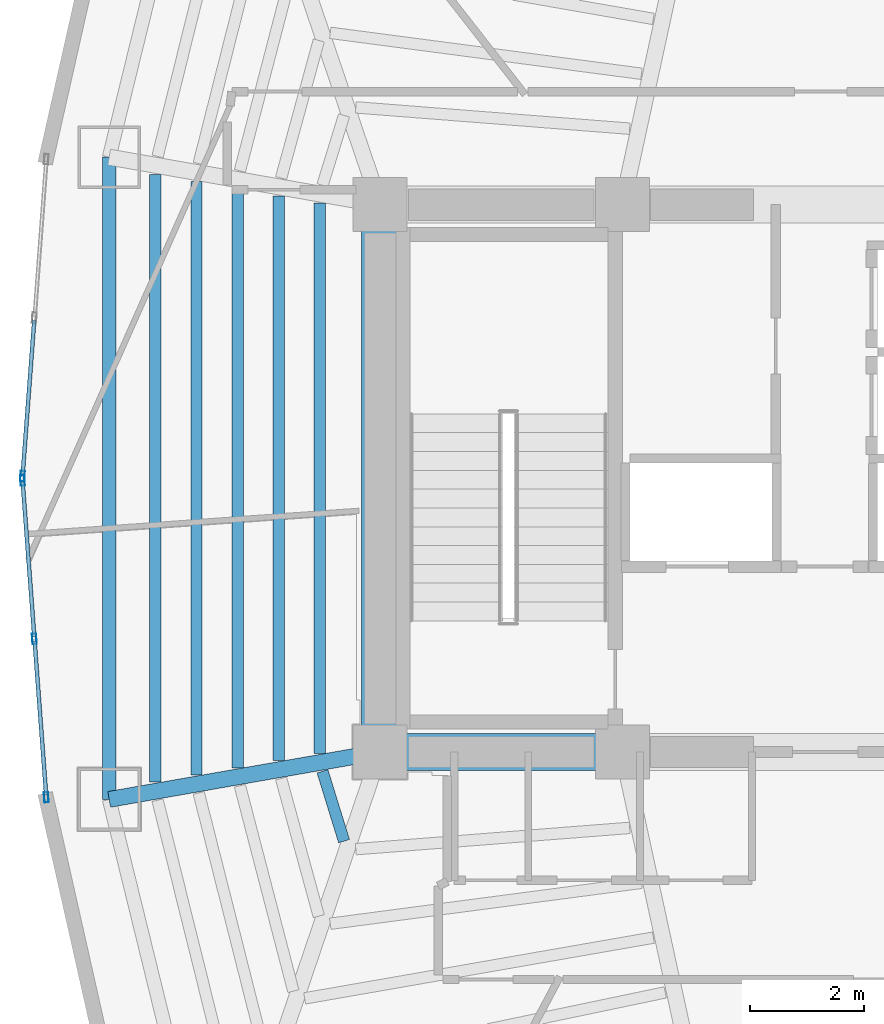
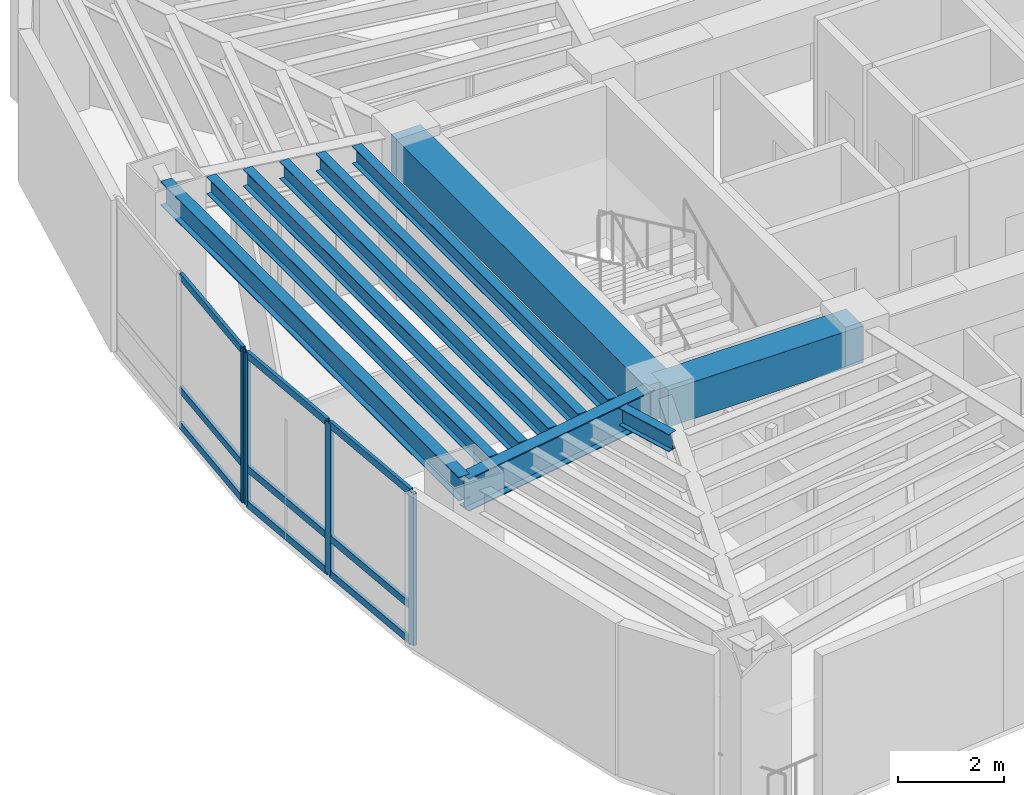
# One storey, part 3 of 18: 13 members, 10 beams, 2 elements without a shape of their own.
"""IFC4 building model written with IfcOpenShell, lengths in metres."""

from ifc_helpers import new_model, si_unit, direction, frame, origin, origin_2d, place, context, subcontext, project, spatial, rectangle, hollow_rectangle, i_section, extrude, material, layer, layer_set, material_profile, profile_set, type_object, element, aggregate, save


model = new_model("IFC4")

# Units and contexts
model_context = context("Model", 3, precision=1e-05, world=origin(), true_north=direction((0.0, 1.0)))
body_context = subcontext(model_context, "Body", "Model", "MODEL_VIEW")
ifc_project = project(units=[si_unit("LENGTHUNIT", "METRE"), si_unit("AREAUNIT", "SQUARE_METRE"), si_unit("VOLUMEUNIT", "CUBIC_METRE"), si_unit("PLANEANGLEUNIT", "RADIAN"), si_unit("MASSUNIT", "GRAM", prefix="KILO")], contexts=[model_context])

# Site, building, storey
site_placement = place(None, origin())
site = spatial("IfcSite", under=ifc_project, at=site_placement, CompositionType="ELEMENT")
building_placement = place(site_placement, origin())
building = spatial("IfcBuilding", under=site, at=building_placement, Name="Menara Vayukalpa", CompositionType="ELEMENT")
storey_placement = place(building_placement, frame((0.0, 0.0, 161.760009765625)))
storey = spatial("IfcBuildingStorey", under=building, at=storey_placement, Name="L40", CompositionType="ELEMENT", Elevation=161.760009765625)

# Beams
ifc_material_1 = material(Name="Concrete C60/75", Category="concrete")
ifc_material_profile_1 = material_profile(ifc_material_1, rectangle(XDim=0.64990234375, YDim=0.85009765625, at=origin_2d()), Name="RC 650x850")
ifc_profile_set_1 = profile_set([ifc_material_profile_1], Name="Concrete C60/75")
beam_type_1 = type_object("IfcBeamType", Name="BM-CB1", PredefinedType="BEAM", material=ifc_profile_set_1)
beam_1_placement = place(storey_placement, frame((17.800048828125, 17.199951171875, 3.074951171875), z_axis=(1.0, 0.0, 0.0), x_axis=(0.0, 1.0, 0.0)))
element("IfcBeam", 1, at=beam_1_placement, inside=storey, type_object=beam_type_1, Name="L40 Core Tie Beam CBR1", PredefinedType="BEAM", context=body_context, shape_type="SweptSolid", body=[
    extrude(rectangle(XDim=0.64990234375, YDim=0.85009765625, at=origin_2d()), origin(), (0.0, 0.0, 1.0), 4.25),
])
beam_2_placement = place(storey_placement, frame((17.800048828125, 17.199951171875, 3.074951171875), z_axis=(0.0, 1.0, 0.0), x_axis=(-1.0, 0.0, 0.0)))
element("IfcBeam", 2, at=beam_2_placement, inside=storey, type_object=beam_type_1, Name="L40 Core Tie Beam CBR7", PredefinedType="BEAM", context=body_context, shape_type="SweptSolid", body=[
    extrude(rectangle(XDim=0.64990234375, YDim=0.85009765625, at=origin_2d()), origin(), (0.0, 0.0, 1.0), 9.60009765625),
])
ifc_material_2 = material(Name="Steel S355", Category="steel")
ifc_material_profile_2 = material_profile(ifc_material_2, i_section(OverallWidth=0.280029296875, OverallDepth=0.75, WebThickness=0.013916015625, FlangeThickness=0.02490234375, at=origin_2d()), Name="WF 750x280x14x25")
ifc_profile_set_2 = profile_set([ifc_material_profile_2], Name="Steel S355")
beam_type_2 = type_object("IfcBeamType", Name="BM-PG4", PredefinedType="BEAM", material=ifc_profile_set_2)
beam_3_placement = place(storey_placement, frame((17.5537109375, 17.156982421875, 3.125), z_axis=(-0.985011651805, -0.172487813505, 0.0), x_axis=(0.172487813505, -0.985011651805, 0.0)))
element("IfcBeam", 3, at=beam_3_placement, inside=storey, type_object=beam_type_2, Name="L40 Primary Radial Girder RG06", PredefinedType="BEAM", context=body_context, shape_type="SweptSolid", body=[
    extrude(i_section(OverallWidth=0.280029296875, OverallDepth=0.75, WebThickness=0.013916015625, FlangeThickness=0.02490234375, at=origin_2d()), origin(), (0.0, 0.0, 1.0), 4.5732421875),
])
ifc_material_3 = material(Name="Steel S355", Category="steel")
ifc_material_profile_3 = material_profile(ifc_material_3, i_section(OverallWidth=0.199951171875, OverallDepth=0.39990234375, WebThickness=0.008056640625, FlangeThickness=0.012939453125, at=origin_2d()), Name="WF 400x200x8x13")
ifc_profile_set_3 = profile_set([ifc_material_profile_3], Name="Steel S355")
beam_type_3 = type_object("IfcBeamType", Name="BM-SJ2", PredefinedType="JOIST", material=ifc_profile_set_3)
beam_4_placement = place(storey_placement, frame((16.742919921875, 26.8251953125, 3.300048828125), z_axis=(0.0, -1.0, 0.0), x_axis=(1.0, 0.0, 0.0)))
element("IfcBeam", 4, at=beam_4_placement, inside=storey, type_object=beam_type_3, Name="L40 Secondary Floor Joist SJ05-1", PredefinedType="JOIST", context=body_context, shape_type="SweptSolid", body=[
    extrude(i_section(OverallWidth=0.199951171875, OverallDepth=0.39990234375, WebThickness=0.008056640625, FlangeThickness=0.012939453125, at=origin_2d()), origin(), (0.0, 0.0, 1.0), 9.650390625),
])
beam_5_placement = place(storey_placement, frame((16.022216796875, 26.951416015625, 3.300048828125), z_axis=(0.0, -1.0, 0.0), x_axis=(1.0, 0.0, 0.0)))
element("IfcBeam", 5, at=beam_5_placement, inside=storey, type_object=beam_type_3, Name="L40 Secondary Floor Joist SJ05-2", PredefinedType="JOIST", context=body_context, shape_type="SweptSolid", body=[
    extrude(i_section(OverallWidth=0.199951171875, OverallDepth=0.39990234375, WebThickness=0.008056640625, FlangeThickness=0.012939453125, at=origin_2d()), origin(), (0.0, 0.0, 1.0), 9.90283203125),
])
beam_6_placement = place(storey_placement, frame((15.301513671875, 27.077392578125, 3.300048828125), z_axis=(0.0, -1.0, 0.0), x_axis=(1.0, 0.0, 0.0)))
element("IfcBeam", 6, at=beam_6_placement, inside=storey, type_object=beam_type_3, Name="L40 Secondary Floor Joist SJ05-3", PredefinedType="JOIST", context=body_context, shape_type="SweptSolid", body=[
    extrude(i_section(OverallWidth=0.199951171875, OverallDepth=0.39990234375, WebThickness=0.008056640625, FlangeThickness=0.012939453125, at=origin_2d()), origin(), (0.0, 0.0, 1.0), 10.15478515625),
])
beam_7_placement = place(storey_placement, frame((14.580810546875, 27.20361328125, 3.300048828125), z_axis=(0.0, -1.0, 0.0), x_axis=(1.0, 0.0, 0.0)))
element("IfcBeam", 7, at=beam_7_placement, inside=storey, type_object=beam_type_3, Name="L40 Secondary Floor Joist SJ05-4", PredefinedType="JOIST", context=body_context, shape_type="SweptSolid", body=[
    extrude(i_section(OverallWidth=0.199951171875, OverallDepth=0.39990234375, WebThickness=0.008056640625, FlangeThickness=0.012939453125, at=origin_2d()), origin(), (0.0, 0.0, 1.0), 10.4072265625),
])
beam_8_placement = place(storey_placement, frame((13.85986328125, 27.329833984375, 3.300048828125), z_axis=(0.0, -1.0, 0.0), x_axis=(1.0, 0.0, 0.0)))
element("IfcBeam", 8, at=beam_8_placement, inside=storey, type_object=beam_type_3, Name="L40 Secondary Floor Joist SJ05-5", PredefinedType="JOIST", context=body_context, shape_type="SweptSolid", body=[
    extrude(i_section(OverallWidth=0.199951171875, OverallDepth=0.39990234375, WebThickness=0.008056640625, FlangeThickness=0.012939453125, at=origin_2d()), origin(), (0.0, 0.0, 1.0), 10.65966796875),
])
beam_9_placement = place(storey_placement, frame((16.7900390625, 16.862060546875, 3.300048828125), z_axis=(0.294914687622, -0.955523587896, 0.0), x_axis=(0.955523587896, 0.294914687622, 0.0)))
element("IfcBeam", 9, at=beam_9_placement, inside=storey, type_object=beam_type_3, Name="L40 Secondary Floor Joist SJ06-1", PredefinedType="JOIST", context=body_context, shape_type="SweptSolid", body=[
    extrude(i_section(OverallWidth=0.199951171875, OverallDepth=0.39990234375, WebThickness=0.008056640625, FlangeThickness=0.012939453125, at=origin_2d()), origin(), (0.0, 0.0, 1.0), 1.283203125),
])
ifc_material_4 = material(Name="Steel S355", Category="steel")
ifc_material_profile_4 = material_profile(ifc_material_4, i_section(OverallWidth=0.239990234375, OverallDepth=0.550048828125, WebThickness=0.010986328125, FlangeThickness=0.01904296875, at=origin_2d()), Name="WF 550x240x11x19")
ifc_profile_set_4 = profile_set([ifc_material_profile_4], Name="Steel S355")
beam_type_4 = type_object("IfcBeamType", Name="BM-SP2", PredefinedType="SPANDREL", material=ifc_profile_set_4)
beam_10_placement = place(storey_placement, frame((13.049072265625, 27.6318359375, 3.22509765625), z_axis=(0.0, -1.0, 0.0), x_axis=(1.0, 0.0, 0.0)))
element("IfcBeam", 10, at=beam_10_placement, inside=storey, type_object=beam_type_4, Name="L40 Perimeter Spandrel Beam SP05", PredefinedType="SPANDREL", context=body_context, shape_type="SweptSolid", body=[
    extrude(i_section(OverallWidth=0.239990234375, OverallDepth=0.550048828125, WebThickness=0.010986328125, FlangeThickness=0.01904296875, at=origin_2d()), origin(), (0.0, 0.0, 1.0), 11.263671875),
])

# Curtain wall, member
ifc_material_5 = material(Name="Anodised Terracotta Aluminium Alloy 6063-T6", Category="masonry")
ifc_layer = layer(ifc_material_5, 0.179931640625)
ifc_layer_set = layer_set([ifc_layer], Name="Anodised Terracotta Aluminium Alloy 6063-T6")
curtain_wall_type = type_object("IfcCurtainWallType", Name="CW-CW4", PredefinedType="USERDEFINED", material=ifc_layer_set)
curtain_wall_1_placement = place(storey_placement, origin())
curtain_wall_1 = element("IfcCurtainWall", 11, at=curtain_wall_1_placement, inside=storey, type_object=curtain_wall_type, Name="L40 Sky Bar Cantilever Glazed Curtain Wall CW4 10", ObjectType="UNITISED", PredefinedType="USERDEFINED")
ifc_material_6 = material(Name="Anodised Terracotta Aluminium Alloy 6063-T6", Category="masonry")
ifc_material_profile_5 = material_profile(ifc_material_6, hollow_rectangle(XDim=0.074951171875, YDim=0.179931640625, WallThickness=0.00390625, at=origin_2d()), Name="ALU 75x180x4")
ifc_profile_set_5 = profile_set([ifc_material_profile_5], Name="Anodised Terracotta Aluminium Alloy 6063-T6")
member_type_1 = type_object("IfcMemberType", Name="CWM-CW4", PredefinedType="MULLION", material=ifc_profile_set_5)
member_1_placement = place(storey_placement, frame((11.529541015625, 22.037353515625, 0.0), z_axis=(0.0, 0.0, 1.0), x_axis=(0.997199111801, -0.074792589364, 0.0)))
member_1 = element("IfcMember", 12, at=member_1_placement, type_object=member_type_1, Name="CW4 mullion 3", PredefinedType="MULLION", context=body_context, shape_type="SweptSolid", body=[
    extrude(hollow_rectangle(XDim=0.074951171875, YDim=0.179931640625, WallThickness=0.00390625, at=origin_2d()), origin(), (0.0, 0.0, 1.0), 3.5),
])

# Curtain wall, members
curtain_wall_2_placement = place(storey_placement, origin())
curtain_wall_2 = element("IfcCurtainWall", 13, at=curtain_wall_2_placement, inside=storey, type_object=curtain_wall_type, Name="L40 Sky Bar Cantilever Glazed Curtain Wall CW4 11", ObjectType="UNITISED", PredefinedType="USERDEFINED")
member_2_placement = place(storey_placement, frame((11.529541015625, 21.962646484375, 0.0), z_axis=(0.0, 0.0, 1.0), x_axis=(0.997199111801, 0.074792589364, 0.0)))
member_2 = element("IfcMember", 14, at=member_2_placement, type_object=member_type_1, Name="CW4 mullion 1", PredefinedType="MULLION", context=body_context, shape_type="SweptSolid", body=[
    extrude(hollow_rectangle(XDim=0.074951171875, YDim=0.179931640625, WallThickness=0.00390625, at=origin_2d()), origin(), (0.0, 0.0, 1.0), 3.5),
])
member_3_placement = place(storey_placement, frame((11.73779296875, 19.18408203125, 0.0), z_axis=(0.0, 0.0, 1.0), x_axis=(0.997199111801, 0.074792589364, 0.0)))
member_3 = element("IfcMember", 15, at=member_3_placement, type_object=member_type_1, Name="CW4 mullion 2", PredefinedType="MULLION", context=body_context, shape_type="SweptSolid", body=[
    extrude(hollow_rectangle(XDim=0.074951171875, YDim=0.179931640625, WallThickness=0.00390625, at=origin_2d()), origin(), (0.0, 0.0, 1.0), 3.5),
])
member_4_placement = place(storey_placement, frame((11.9462890625, 16.405517578125, 0.0), z_axis=(0.0, 0.0, 1.0), x_axis=(0.997199111801, 0.074792589364, 0.0)))
member_4 = element("IfcMember", 16, at=member_4_placement, type_object=member_type_1, Name="CW4 mullion 3", PredefinedType="MULLION", context=body_context, shape_type="SweptSolid", body=[
    extrude(hollow_rectangle(XDim=0.074951171875, YDim=0.179931640625, WallThickness=0.00390625, at=origin_2d()), origin(), (0.0, 0.0, 1.0), 3.5),
])

# Member
ifc_material_7 = material(Name="Anodised Terracotta Aluminium Alloy 6063-T6", Category="masonry")
ifc_material_profile_6 = material_profile(ifc_material_7, hollow_rectangle(XDim=0.070068359375, YDim=0.1650390625, WallThickness=0.00390625, at=origin_2d()), Name="ALU 70x165x4")
ifc_profile_set_6 = profile_set([ifc_material_profile_6], Name="Anodised Terracotta Aluminium Alloy 6063-T6")
member_type_2 = type_object("IfcMemberType", Name="CWT-CW4", PredefinedType="USERDEFINED", material=ifc_profile_set_6)
member_5_placement = place(storey_placement, frame((11.735107421875, 24.778564453125, 0.034912109375), z_axis=(-0.074823524461, -0.997196791104, 0.0), x_axis=(0.997196791104, -0.074823524461, 0.0)))
member_5 = element("IfcMember", 17, at=member_5_placement, type_object=member_type_2, Name="CW4 transom 2.1", ObjectType="TRANSOM", PredefinedType="USERDEFINED", context=body_context, shape_type="SweptSolid", body=[
    extrude(hollow_rectangle(XDim=0.070068359375, YDim=0.1650390625, WallThickness=0.00390625, at=origin_2d()), origin(), (0.0, 0.0, 1.0), 2.71142578125),
])

member_6_placement = place(storey_placement, frame((11.735107421875, 24.778564453125, 0.85009765625), z_axis=(-0.074823524461, -0.997196791104, 0.0), x_axis=(0.997196791104, -0.074823524461, 0.0)))
member_6 = element("IfcMember", 18, at=member_6_placement, type_object=member_type_2, Name="CW4 transom 2.2", ObjectType="TRANSOM", PredefinedType="USERDEFINED", context=body_context, shape_type="SweptSolid", body=[
    extrude(hollow_rectangle(XDim=0.070068359375, YDim=0.1650390625, WallThickness=0.00390625, at=origin_2d()), origin(), (0.0, 0.0, 1.0), 2.71142578125),
])

member_7_placement = place(storey_placement, frame((11.735107421875, 24.778564453125, 3.465087890625), z_axis=(-0.074823524461, -0.997196791104, 0.0), x_axis=(0.997196791104, -0.074823524461, 0.0)))
member_7 = element("IfcMember", 19, at=member_7_placement, type_object=member_type_2, Name="CW4 transom 2.3", ObjectType="TRANSOM", PredefinedType="USERDEFINED", context=body_context, shape_type="SweptSolid", body=[
    extrude(hollow_rectangle(XDim=0.070068359375, YDim=0.1650390625, WallThickness=0.00390625, at=origin_2d()), origin(), (0.0, 0.0, 1.0), 2.71142578125),
])

aggregate(curtain_wall_1, [member_1, member_5, member_6, member_7])

member_8_placement = place(storey_placement, frame((11.5322265625, 21.92529296875, 0.034912109375), z_axis=(0.074823524461, -0.997196791104, 0.0), x_axis=(0.997196791104, 0.074823524461, 0.0)))
member_8 = element("IfcMember", 20, at=member_8_placement, type_object=member_type_2, Name="CW4 transom 1.1", ObjectType="TRANSOM", PredefinedType="USERDEFINED", context=body_context, shape_type="SweptSolid", body=[
    extrude(hollow_rectangle(XDim=0.070068359375, YDim=0.1650390625, WallThickness=0.00390625, at=origin_2d()), origin(), (0.0, 0.0, 1.0), 2.71142578125),
])

member_9_placement = place(storey_placement, frame((11.5322265625, 21.92529296875, 0.85009765625), z_axis=(0.074823524461, -0.997196791104, 0.0), x_axis=(0.997196791104, 0.074823524461, 0.0)))
member_9 = element("IfcMember", 21, at=member_9_placement, type_object=member_type_2, Name="CW4 transom 1.2", ObjectType="TRANSOM", PredefinedType="USERDEFINED", context=body_context, shape_type="SweptSolid", body=[
    extrude(hollow_rectangle(XDim=0.070068359375, YDim=0.1650390625, WallThickness=0.00390625, at=origin_2d()), origin(), (0.0, 0.0, 1.0), 2.71142578125),
])

member_10_placement = place(storey_placement, frame((11.5322265625, 21.92529296875, 3.465087890625), z_axis=(0.074823524461, -0.997196791104, 0.0), x_axis=(0.997196791104, 0.074823524461, 0.0)))
member_10 = element("IfcMember", 22, at=member_10_placement, type_object=member_type_2, Name="CW4 transom 1.3", ObjectType="TRANSOM", PredefinedType="USERDEFINED", context=body_context, shape_type="SweptSolid", body=[
    extrude(hollow_rectangle(XDim=0.070068359375, YDim=0.1650390625, WallThickness=0.00390625, at=origin_2d()), origin(), (0.0, 0.0, 1.0), 2.71142578125),
])

member_11_placement = place(storey_placement, frame((11.74072265625, 19.146728515625, 0.034912109375), z_axis=(0.074823524461, -0.997196791104, 0.0), x_axis=(0.997196791104, 0.074823524461, 0.0)))
member_11 = element("IfcMember", 23, at=member_11_placement, type_object=member_type_2, Name="CW4 transom 2.1", ObjectType="TRANSOM", PredefinedType="USERDEFINED", context=body_context, shape_type="SweptSolid", body=[
    extrude(hollow_rectangle(XDim=0.070068359375, YDim=0.1650390625, WallThickness=0.00390625, at=origin_2d()), origin(), (0.0, 0.0, 1.0), 2.71142578125),
])

member_12_placement = place(storey_placement, frame((11.74072265625, 19.146728515625, 0.85009765625), z_axis=(0.074823524461, -0.997196791104, 0.0), x_axis=(0.997196791104, 0.074823524461, 0.0)))
member_12 = element("IfcMember", 24, at=member_12_placement, type_object=member_type_2, Name="CW4 transom 2.2", ObjectType="TRANSOM", PredefinedType="USERDEFINED", context=body_context, shape_type="SweptSolid", body=[
    extrude(hollow_rectangle(XDim=0.070068359375, YDim=0.1650390625, WallThickness=0.00390625, at=origin_2d()), origin(), (0.0, 0.0, 1.0), 2.71142578125),
])

member_13_placement = place(storey_placement, frame((11.74072265625, 19.146728515625, 3.465087890625), z_axis=(0.074823524461, -0.997196791104, 0.0), x_axis=(0.997196791104, 0.074823524461, 0.0)))
member_13 = element("IfcMember", 25, at=member_13_placement, type_object=member_type_2, Name="CW4 transom 2.3", ObjectType="TRANSOM", PredefinedType="USERDEFINED", context=body_context, shape_type="SweptSolid", body=[
    extrude(hollow_rectangle(XDim=0.070068359375, YDim=0.1650390625, WallThickness=0.00390625, at=origin_2d()), origin(), (0.0, 0.0, 1.0), 2.71142578125),
])

aggregate(curtain_wall_2, [member_2, member_3, member_4, member_8, member_9, member_10, member_11, member_12, member_13])

save(model, "model.ifc")
